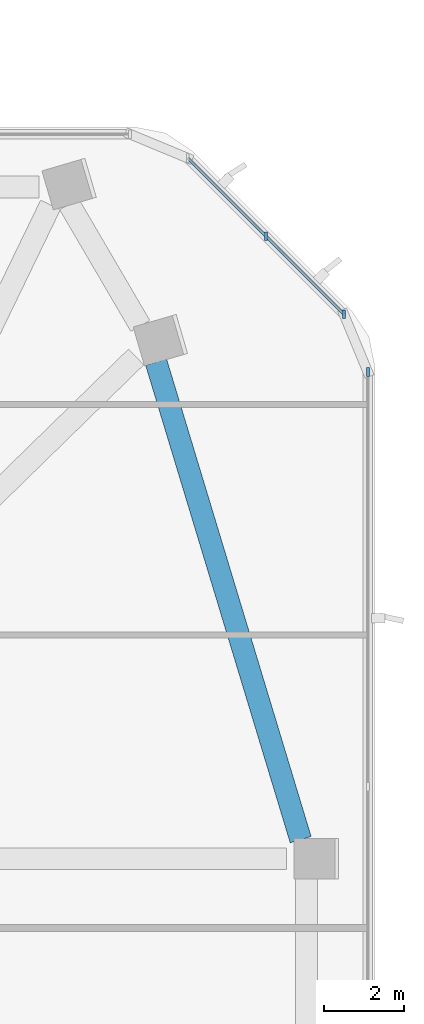
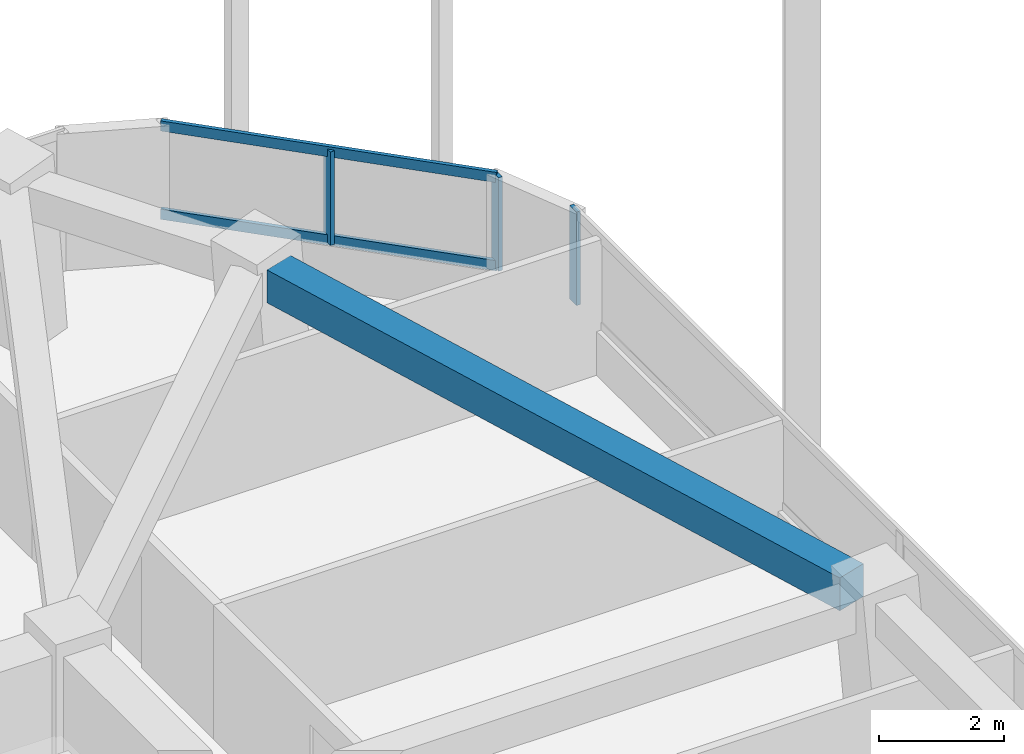
# One storey, part 6 of 15: 5 members, 1 beam, 2 elements without a shape of their own.
"""IFC4 building model written with IfcOpenShell, lengths in metres."""

from ifc_helpers import new_model, si_unit, derived_unit, direction, frame, origin, origin_2d, place, context, subcontext, project, spatial, rectangle, extrude, material, material_profile, profile_set, type_object, element, aggregate, save


model = new_model("IFC4")

# Units and contexts
model_context = context("Model", 3, precision=1e-05, world=origin(), true_north=direction((0.0, 1.0)))
body_context = subcontext(model_context, "Body", "Model", "MODEL_VIEW")
ifc_project = project(units=[si_unit("LENGTHUNIT", "METRE"), si_unit("AREAUNIT", "SQUARE_METRE"), si_unit("VOLUMEUNIT", "CUBIC_METRE"), si_unit("PLANEANGLEUNIT", "RADIAN"), si_unit("MASSUNIT", "GRAM", prefix="KILO"), derived_unit("THERMALTRANSMITTANCEUNIT", [(si_unit("POWERUNIT", "WATT"), 1), (si_unit("LENGTHUNIT", "METRE"), -2), (si_unit("THERMODYNAMICTEMPERATUREUNIT", "KELVIN"), -1)])], contexts=[model_context])

# Site, building, storey
site_placement = place(None, origin())
site = spatial("IfcSite", under=ifc_project, at=site_placement, CompositionType="ELEMENT")
building_placement = place(site_placement, origin())
building = spatial("IfcBuilding", under=site, at=building_placement, Name="Koralith Skygarden Medical Center", CompositionType="ELEMENT")
storey_placement = place(building_placement, frame((0.0, 0.0, 113.580078125)))
storey = spatial("IfcBuildingStorey", under=building, at=storey_placement, Name="L29", CompositionType="ELEMENT", Elevation=113.580078125)

# Curtain wall, member
ifc_material_1 = material(Name="Clear Laminated Glass", Category="glass")
curtain_wall_type = type_object("IfcCurtainWallType", Name="CW-3 Zone 2 Faceted Solar Curtain Wall", PredefinedType="NOTDEFINED", material=ifc_material_1)
curtain_wall_1_placement = place(storey_placement, origin())
curtain_wall_1 = element("IfcCurtainWall", 1, at=curtain_wall_1_placement, inside=storey, type_object=curtain_wall_type, Name="Curtain Wall CW-L29-E", PredefinedType="NOTDEFINED")
ifc_material_2 = material(Name="Aluminium 6063-T6", Category="aluminium")
ifc_material_profile_1 = material_profile(ifc_material_2, rectangle(XDim=0.073974609375, YDim=0.219970703125, at=origin_2d()), Name="MUL74X220")
ifc_profile_set_1 = profile_set([ifc_material_profile_1], Name="Aluminium 6063-T6")
member_type_1 = type_object("IfcMemberType", Name="CW-3 Extruded Mullion 74x220", PredefinedType="MULLION", material=ifc_profile_set_1)
member_1_placement = place(storey_placement, frame((61.60400390625, 41.52490234375, 0.849853515625), z_axis=(0.0, 0.0, 1.0), x_axis=(1.0, 0.0, 0.0)))
member_1 = element("IfcMember", 2, at=member_1_placement, type_object=member_type_1, Name="CW-L29-E Mullion 4", PredefinedType="MULLION", context=body_context, shape_type="SweptSolid", body=[
    extrude(rectangle(XDim=0.073974609375, YDim=0.219970703125, at=origin_2d()), origin(), (0.0, 0.0, 1.0), 1.820068359375),
])
aggregate(curtain_wall_1, [member_1])

# Curtain wall, members
curtain_wall_2_placement = place(storey_placement, origin())
curtain_wall_2 = element("IfcCurtainWall", 3, at=curtain_wall_2_placement, inside=storey, type_object=curtain_wall_type, Name="Curtain Wall CW-L29-NE", PredefinedType="NOTDEFINED")
member_2_placement = place(storey_placement, frame((61.0029296875, 42.97607421875, 0.849853515625), z_axis=(0.0, 0.0, 1.0), x_axis=(1.0, 0.0, 0.0)))
member_2 = element("IfcMember", 4, at=member_2_placement, type_object=member_type_1, Name="CW-L29-NE Mullion 1", PredefinedType="MULLION", context=body_context, shape_type="SweptSolid", body=[
    extrude(rectangle(XDim=0.073974609375, YDim=0.219970703125, at=origin_2d()), origin(), (0.0, 0.0, 1.0), 1.820068359375),
])
member_3_placement = place(storey_placement, frame((59.041015625, 44.93798828125, 0.849853515625), z_axis=(0.0, 0.0, 1.0), x_axis=(1.0, 0.0, 0.0)))
member_3 = element("IfcMember", 5, at=member_3_placement, type_object=member_type_1, Name="CW-L29-NE Mullion 2", PredefinedType="MULLION", context=body_context, shape_type="SweptSolid", body=[
    extrude(rectangle(XDim=0.073974609375, YDim=0.219970703125, at=origin_2d()), origin(), (0.0, 0.0, 1.0), 1.820068359375),
])
ifc_material_profile_2 = material_profile(ifc_material_2, rectangle(XDim=0.069091796875, YDim=0.197998046875, at=origin_2d()), Name="TRN69X198")
ifc_profile_set_2 = profile_set([ifc_material_profile_2], Name="Aluminium 6063-T6")
member_type_2 = type_object("IfcMemberType", Name="CW-3 Thermal Transom 69x198", PredefinedType="USERDEFINED", material=ifc_profile_set_2)
member_4_placement = place(storey_placement, frame((61.0029296875, 42.97607421875, 0.89990234375), z_axis=(-0.707106781187, 0.707106781187, 0.0), x_axis=(-0.707106781187, -0.707106781187, 0.0)))
member_4 = element("IfcMember", 6, at=member_4_placement, type_object=member_type_2, Name="CW-L29-NE Transom 1", ObjectType="TRANSOM", PredefinedType="USERDEFINED", context=body_context, shape_type="SweptSolid", body=[
    extrude(rectangle(XDim=0.069091796875, YDim=0.197998046875, at=origin_2d()), origin(), (0.0, 0.0, 1.0), 5.5478515625),
])
member_5_placement = place(storey_placement, frame((61.0029296875, 42.97607421875, 2.619873046875), z_axis=(-0.707106781187, 0.707106781187, 0.0), x_axis=(-0.707106781187, -0.707106781187, 0.0)))
member_5 = element("IfcMember", 7, at=member_5_placement, type_object=member_type_2, Name="CW-L29-NE Transom 2", ObjectType="TRANSOM", PredefinedType="USERDEFINED", context=body_context, shape_type="SweptSolid", body=[
    extrude(rectangle(XDim=0.069091796875, YDim=0.197998046875, at=origin_2d()), origin(), (0.0, 0.0, 1.0), 5.5478515625),
])
aggregate(curtain_wall_2, [member_2, member_3, member_4, member_5])

# Beam
ifc_material_3 = material(Name="Concrete C45/55", Category="concrete")
ifc_material_profile_3 = material_profile(ifc_material_3, rectangle(XDim=0.550048828125, YDim=0.639892578125, at=origin_2d()), Name="RCB550X640")
ifc_profile_set_3 = profile_set([ifc_material_profile_3], Name="Concrete C45/55")
beam_type = type_object("IfcBeamType", Name="Zone 2-3 Spandrel Beam RCB550X640", PredefinedType="SPANDREL", material=ifc_profile_set_3)
beam_placement = place(storey_placement, frame((59.9169921875, 29.779052734375, 3.0), z_axis=(-0.28975811543, 0.957099908339, 0.0), x_axis=(-0.957099908339, -0.28975811543, 0.0)))
element("IfcBeam", 8, at=beam_placement, inside=storey, type_object=beam_type, Name="L29 Perimeter Spandrel Beam SP-09", PredefinedType="SPANDREL", context=body_context, shape_type="SweptSolid", body=[
    extrude(rectangle(XDim=0.550048828125, YDim=0.639892578125, at=origin_2d()), origin(), (0.0, 0.0, 1.0), 12.531494140625),
])

save(model, "model.ifc")
